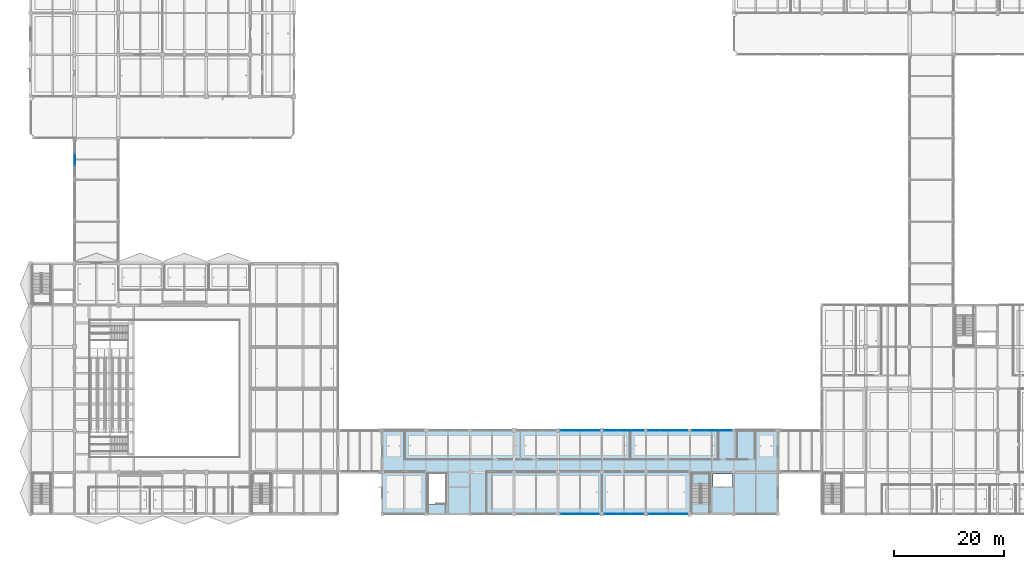
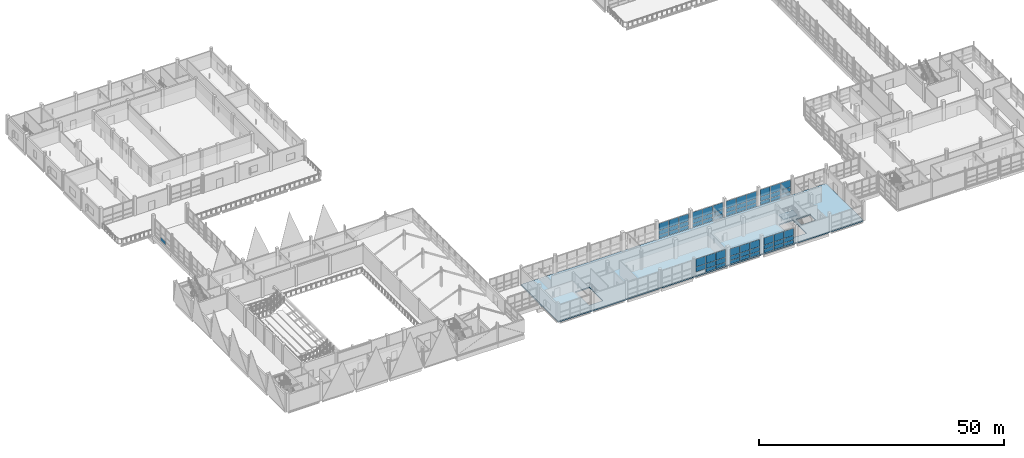
# One storey, part 75 of 141: 63 plates, 2 slabs, 9 elements without a shape of their own.
"""IFC4 building model written with IfcOpenShell, lengths in metres."""

from ifc_helpers import new_model, si_unit, direction, frame, origin, origin_2d, place, context, subcontext, project, spatial, polyline, rectangle, outline, extrude, material, layer, layer_set, type_object, element, aggregate, save


model = new_model("IFC4")

# Units and contexts
model_context = context("Model", 3, precision=1e-05, world=origin(), true_north=direction((0.0, 1.0)))
body_context = subcontext(model_context, "Body", "Model", "MODEL_VIEW")
ifc_project = project(units=[si_unit("LENGTHUNIT", "METRE"), si_unit("AREAUNIT", "SQUARE_METRE"), si_unit("VOLUMEUNIT", "CUBIC_METRE"), si_unit("PLANEANGLEUNIT", "RADIAN"), si_unit("MASSUNIT", "GRAM", prefix="KILO")], contexts=[model_context])

# Site, building, storey
site_placement = place(None, origin())
site = spatial("IfcSite", under=ifc_project, at=site_placement, CompositionType="ELEMENT")
building_placement = place(site_placement, origin())
building = spatial("IfcBuilding", under=site, at=building_placement, Name="Khelvaren Railside Concert Hall", CompositionType="ELEMENT")
storey_placement = place(building_placement, frame((0.0, 0.0, 10.199951171875)))
storey = spatial("IfcBuildingStorey", under=building, at=storey_placement, Name="L02", CompositionType="ELEMENT", Elevation=10.199951171875)

# Curtain wall, plates
ifc_material_1 = material(Name="Double-glazed clear foyer glass", Category="glass")
curtain_wall_type_1 = type_object("IfcCurtainWallType", Name="CW70", PredefinedType="USERDEFINED", material=ifc_material_1)
curtain_wall_1_placement = place(storey_placement, origin())
curtain_wall_1 = element("IfcCurtainWall", 1, at=curtain_wall_1_placement, inside=storey, type_object=curtain_wall_type_1, Name="Unitised Curtain Wall CW-V3-L02-S-96", ObjectType="UNITISED CURTAIN WALL", PredefinedType="USERDEFINED")
ifc_layer_1 = layer(ifc_material_1, 0.0439453125)
ifc_layer_set_1 = layer_set([ifc_layer_1], Name="Double-glazed clear foyer glass")
plate_type_1 = type_object("IfcPlateType", Name="CWP33", PredefinedType="CURTAIN_PANEL", material=ifc_layer_set_1)
plate_1_placement = place(storey_placement, frame((102.3203125, 0.0, 0.06494140625), z_axis=(0.0, 0.0, 1.0), x_axis=(-1.0, 0.0, 0.0)))
plate_1 = element("IfcPlate", 2, at=plate_1_placement, type_object=plate_type_1, Name="CW70 panel 1.1", PredefinedType="CURTAIN_PANEL", context=body_context, shape_type="SweptSolid", body=[
    extrude(rectangle(XDim=2.26416015625, YDim=0.0439453125, at=origin_2d()), origin(), (0.0, 0.0, 1.0), 0.8525390625),
])
plate_2_placement = place(storey_placement, frame((102.3203125, 0.0, 0.982421875), z_axis=(0.0, 0.0, 1.0), x_axis=(-1.0, 0.0, 0.0)))
plate_2 = element("IfcPlate", 3, at=plate_2_placement, type_object=plate_type_1, Name="CW70 panel 1.2", PredefinedType="CURTAIN_PANEL", context=body_context, shape_type="SweptSolid", body=[
    extrude(rectangle(XDim=2.26416015625, YDim=0.0439453125, at=origin_2d()), origin(), (0.0, 0.0, 1.0), 1.179443359375),
])
plate_3_placement = place(storey_placement, frame((102.3203125, 0.0, 2.22705078125), z_axis=(0.0, 0.0, 1.0), x_axis=(-1.0, 0.0, 0.0)))
plate_3 = element("IfcPlate", 4, at=plate_3_placement, type_object=plate_type_1, Name="CW70 panel 1.3", PredefinedType="CURTAIN_PANEL", context=body_context, shape_type="SweptSolid", body=[
    extrude(rectangle(XDim=2.26416015625, YDim=0.0439453125, at=origin_2d()), origin(), (0.0, 0.0, 1.0), 1.927978515625),
])
plate_4_placement = place(storey_placement, frame((99.96240234375, 0.0, 0.06494140625), z_axis=(0.0, 0.0, 1.0), x_axis=(-1.0, 0.0, 0.0)))
plate_4 = element("IfcPlate", 5, at=plate_4_placement, type_object=plate_type_1, Name="CW70 panel 2.1", PredefinedType="CURTAIN_PANEL", context=body_context, shape_type="SweptSolid", body=[
    extrude(rectangle(XDim=2.3017578125, YDim=0.0439453125, at=origin_2d()), origin(), (0.0, 0.0, 1.0), 0.8525390625),
])
plate_5_placement = place(storey_placement, frame((99.96240234375, 0.0, 0.982421875), z_axis=(0.0, 0.0, 1.0), x_axis=(-1.0, 0.0, 0.0)))
plate_5 = element("IfcPlate", 6, at=plate_5_placement, type_object=plate_type_1, Name="CW70 panel 2.2", PredefinedType="CURTAIN_PANEL", context=body_context, shape_type="SweptSolid", body=[
    extrude(rectangle(XDim=2.3017578125, YDim=0.0439453125, at=origin_2d()), origin(), (0.0, 0.0, 1.0), 1.179443359375),
])
plate_6_placement = place(storey_placement, frame((99.96240234375, 0.0, 2.22705078125), z_axis=(0.0, 0.0, 1.0), x_axis=(-1.0, 0.0, 0.0)))
plate_6 = element("IfcPlate", 7, at=plate_6_placement, type_object=plate_type_1, Name="CW70 panel 2.3", PredefinedType="CURTAIN_PANEL", context=body_context, shape_type="SweptSolid", body=[
    extrude(rectangle(XDim=2.3017578125, YDim=0.0439453125, at=origin_2d()), origin(), (0.0, 0.0, 1.0), 1.927978515625),
])
plate_7_placement = place(storey_placement, frame((97.6044921875, 0.0, 0.982421875), z_axis=(0.0, 0.0, 1.0), x_axis=(-1.0, 0.0, 0.0)))
plate_7 = element("IfcPlate", 8, at=plate_7_placement, type_object=plate_type_1, Name="CW70 panel 3.2", PredefinedType="CURTAIN_PANEL", context=body_context, shape_type="SweptSolid", body=[
    extrude(rectangle(XDim=2.26416015625, YDim=0.0439453125, at=origin_2d()), origin(), (0.0, 0.0, 1.0), 1.179443359375),
])
plate_8_placement = place(storey_placement, frame((97.6044921875, 0.0, 2.22705078125), z_axis=(0.0, 0.0, 1.0), x_axis=(-1.0, 0.0, 0.0)))
plate_8 = element("IfcPlate", 9, at=plate_8_placement, type_object=plate_type_1, Name="CW70 panel 3.3", PredefinedType="CURTAIN_PANEL", context=body_context, shape_type="SweptSolid", body=[
    extrude(rectangle(XDim=2.26416015625, YDim=0.0439453125, at=origin_2d()), origin(), (0.0, 0.0, 1.0), 1.927978515625),
])
aggregate(curtain_wall_1, [plate_1, plate_2, plate_3, plate_4, plate_5, plate_6, plate_7, plate_8])

curtain_wall_type_2 = type_object("IfcCurtainWallType", Name="CW83", PredefinedType="USERDEFINED", material=ifc_material_1)
curtain_wall_2_placement = place(storey_placement, origin())
curtain_wall_2 = element("IfcCurtainWall", 10, at=curtain_wall_2_placement, inside=storey, type_object=curtain_wall_type_2, Name="Unitised Curtain Wall CW-V3-L02-S-104", ObjectType="UNITISED CURTAIN WALL", PredefinedType="USERDEFINED")
plate_9_placement = place(storey_placement, frame((110.37451171875, 0.0, 0.06494140625), z_axis=(0.0, 0.0, 1.0), x_axis=(-1.0, 0.0, 0.0)))
plate_9 = element("IfcPlate", 11, at=plate_9_placement, type_object=plate_type_1, Name="CW83 panel 1.1", PredefinedType="CURTAIN_PANEL", context=body_context, shape_type="SweptSolid", body=[
    extrude(rectangle(XDim=2.255859375, YDim=0.0439453125, at=origin_2d()), origin(), (0.0, 0.0, 1.0), 0.8525390625),
])
plate_10_placement = place(storey_placement, frame((110.37451171875, 0.0, 0.982421875), z_axis=(0.0, 0.0, 1.0), x_axis=(-1.0, 0.0, 0.0)))
plate_10 = element("IfcPlate", 12, at=plate_10_placement, type_object=plate_type_1, Name="CW83 panel 1.2", PredefinedType="CURTAIN_PANEL", context=body_context, shape_type="SweptSolid", body=[
    extrude(rectangle(XDim=2.255859375, YDim=0.0439453125, at=origin_2d()), origin(), (0.0, 0.0, 1.0), 1.018310546875),
])
plate_11_placement = place(storey_placement, frame((110.37451171875, 0.0, 2.065673828125), z_axis=(0.0, 0.0, 1.0), x_axis=(-1.0, 0.0, 0.0)))
plate_11 = element("IfcPlate", 13, at=plate_11_placement, type_object=plate_type_1, Name="CW83 panel 1.3", PredefinedType="CURTAIN_PANEL", context=body_context, shape_type="SweptSolid", body=[
    extrude(rectangle(XDim=2.255859375, YDim=0.0439453125, at=origin_2d()), origin(), (0.0, 0.0, 1.0), 1.779296875),
])
plate_12_placement = place(storey_placement, frame((108.02490234375, 0.0, 0.06494140625), z_axis=(0.0, 0.0, 1.0), x_axis=(-1.0, 0.0, 0.0)))
plate_12 = element("IfcPlate", 14, at=plate_12_placement, type_object=plate_type_1, Name="CW83 panel 2.1", PredefinedType="CURTAIN_PANEL", context=body_context, shape_type="SweptSolid", body=[
    extrude(rectangle(XDim=2.293212890625, YDim=0.0439453125, at=origin_2d()), origin(), (0.0, 0.0, 1.0), 0.8525390625),
])
plate_13_placement = place(storey_placement, frame((108.02490234375, 0.0, 0.982421875), z_axis=(0.0, 0.0, 1.0), x_axis=(-1.0, 0.0, 0.0)))
plate_13 = element("IfcPlate", 15, at=plate_13_placement, type_object=plate_type_1, Name="CW83 panel 2.2", PredefinedType="CURTAIN_PANEL", context=body_context, shape_type="SweptSolid", body=[
    extrude(rectangle(XDim=2.293212890625, YDim=0.0439453125, at=origin_2d()), origin(), (0.0, 0.0, 1.0), 1.018310546875),
])
plate_14_placement = place(storey_placement, frame((108.02490234375, 0.0, 2.065673828125), z_axis=(0.0, 0.0, 1.0), x_axis=(-1.0, 0.0, 0.0)))
plate_14 = element("IfcPlate", 16, at=plate_14_placement, type_object=plate_type_1, Name="CW83 panel 2.3", PredefinedType="CURTAIN_PANEL", context=body_context, shape_type="SweptSolid", body=[
    extrude(rectangle(XDim=2.293212890625, YDim=0.0439453125, at=origin_2d()), origin(), (0.0, 0.0, 1.0), 1.779296875),
])
plate_15_placement = place(storey_placement, frame((105.675537109375, 0.0, 0.06494140625), z_axis=(0.0, 0.0, 1.0), x_axis=(-1.0, 0.0, 0.0)))
plate_15 = element("IfcPlate", 17, at=plate_15_placement, type_object=plate_type_1, Name="CW83 panel 3.1", PredefinedType="CURTAIN_PANEL", context=body_context, shape_type="SweptSolid", body=[
    extrude(rectangle(XDim=2.255859375, YDim=0.0439453125, at=origin_2d()), origin(), (0.0, 0.0, 1.0), 0.8525390625),
])
plate_16_placement = place(storey_placement, frame((105.675537109375, 0.0, 0.982421875), z_axis=(0.0, 0.0, 1.0), x_axis=(-1.0, 0.0, 0.0)))
plate_16 = element("IfcPlate", 18, at=plate_16_placement, type_object=plate_type_1, Name="CW83 panel 3.2", PredefinedType="CURTAIN_PANEL", context=body_context, shape_type="SweptSolid", body=[
    extrude(rectangle(XDim=2.255859375, YDim=0.0439453125, at=origin_2d()), origin(), (0.0, 0.0, 1.0), 1.018310546875),
])
plate_17_placement = place(storey_placement, frame((105.675537109375, 0.0, 2.065673828125), z_axis=(0.0, 0.0, 1.0), x_axis=(-1.0, 0.0, 0.0)))
plate_17 = element("IfcPlate", 19, at=plate_17_placement, type_object=plate_type_1, Name="CW83 panel 3.3", PredefinedType="CURTAIN_PANEL", context=body_context, shape_type="SweptSolid", body=[
    extrude(rectangle(XDim=2.255859375, YDim=0.0439453125, at=origin_2d()), origin(), (0.0, 0.0, 1.0), 1.779296875),
])
aggregate(curtain_wall_2, [plate_9, plate_10, plate_11, plate_12, plate_13, plate_14, plate_15, plate_16, plate_17])

curtain_wall_type_3 = type_object("IfcCurtainWallType", Name="CW64", PredefinedType="USERDEFINED", material=ifc_material_1)
curtain_wall_3_placement = place(storey_placement, origin())
curtain_wall_3 = element("IfcCurtainWall", 20, at=curtain_wall_3_placement, inside=storey, type_object=curtain_wall_type_3, Name="Unitised Curtain Wall CW-V3-L02-S-112", ObjectType="UNITISED CURTAIN WALL", PredefinedType="USERDEFINED")
plate_18_placement = place(storey_placement, frame((118.407958984375, 0.0, 0.06494140625), z_axis=(0.0, 0.0, 1.0), x_axis=(-1.0, 0.0, 0.0)))
plate_18 = element("IfcPlate", 21, at=plate_18_placement, type_object=plate_type_1, Name="CW64 panel 1.1", PredefinedType="CURTAIN_PANEL", context=body_context, shape_type="SweptSolid", body=[
    extrude(rectangle(XDim=2.2890625, YDim=0.0439453125, at=origin_2d()), origin(), (0.0, 0.0, 1.0), 0.8525390625),
])
plate_19_placement = place(storey_placement, frame((118.407958984375, 0.0, 0.982666015625), z_axis=(0.0, 0.0, 1.0), x_axis=(-1.0, 0.0, 0.0)))
plate_19 = element("IfcPlate", 22, at=plate_19_placement, type_object=plate_type_1, Name="CW64 panel 1.2", PredefinedType="CURTAIN_PANEL", context=body_context, shape_type="SweptSolid", body=[
    extrude(rectangle(XDim=2.2890625, YDim=0.0439453125, at=origin_2d()), origin(), (0.0, 0.0, 1.0), 0.9921875),
])
plate_20_placement = place(storey_placement, frame((118.407958984375, 0.0, 2.039794921875), z_axis=(0.0, 0.0, 1.0), x_axis=(-1.0, 0.0, 0.0)))
plate_20 = element("IfcPlate", 23, at=plate_20_placement, type_object=plate_type_1, Name="CW64 panel 1.3", PredefinedType="CURTAIN_PANEL", context=body_context, shape_type="SweptSolid", body=[
    extrude(rectangle(XDim=2.2890625, YDim=0.0439453125, at=origin_2d()), origin(), (0.0, 0.0, 1.0), 1.75537109375),
])
plate_21_placement = place(storey_placement, frame((116.02490234375, 0.0, 0.06494140625), z_axis=(0.0, 0.0, 1.0), x_axis=(-1.0, 0.0, 0.0)))
plate_21 = element("IfcPlate", 24, at=plate_21_placement, type_object=plate_type_1, Name="CW64 panel 2.1", PredefinedType="CURTAIN_PANEL", context=body_context, shape_type="SweptSolid", body=[
    extrude(rectangle(XDim=2.32666015625, YDim=0.0439453125, at=origin_2d()), origin(), (0.0, 0.0, 1.0), 0.8525390625),
])
plate_22_placement = place(storey_placement, frame((116.02490234375, 0.0, 0.982666015625), z_axis=(0.0, 0.0, 1.0), x_axis=(-1.0, 0.0, 0.0)))
plate_22 = element("IfcPlate", 25, at=plate_22_placement, type_object=plate_type_1, Name="CW64 panel 2.2", PredefinedType="CURTAIN_PANEL", context=body_context, shape_type="SweptSolid", body=[
    extrude(rectangle(XDim=2.32666015625, YDim=0.0439453125, at=origin_2d()), origin(), (0.0, 0.0, 1.0), 0.9921875),
])
plate_23_placement = place(storey_placement, frame((116.02490234375, 0.0, 2.039794921875), z_axis=(0.0, 0.0, 1.0), x_axis=(-1.0, 0.0, 0.0)))
plate_23 = element("IfcPlate", 26, at=plate_23_placement, type_object=plate_type_1, Name="CW64 panel 2.3", PredefinedType="CURTAIN_PANEL", context=body_context, shape_type="SweptSolid", body=[
    extrude(rectangle(XDim=2.32666015625, YDim=0.0439453125, at=origin_2d()), origin(), (0.0, 0.0, 1.0), 1.75537109375),
])
plate_24_placement = place(storey_placement, frame((113.64208984375, 0.0, 0.06494140625), z_axis=(0.0, 0.0, 1.0), x_axis=(-1.0, 0.0, 0.0)))
plate_24 = element("IfcPlate", 27, at=plate_24_placement, type_object=plate_type_1, Name="CW64 panel 3.1", PredefinedType="CURTAIN_PANEL", context=body_context, shape_type="SweptSolid", body=[
    extrude(rectangle(XDim=2.2890625, YDim=0.0439453125, at=origin_2d()), origin(), (0.0, 0.0, 1.0), 0.8525390625),
])
plate_25_placement = place(storey_placement, frame((113.64208984375, 0.0, 0.982666015625), z_axis=(0.0, 0.0, 1.0), x_axis=(-1.0, 0.0, 0.0)))
plate_25 = element("IfcPlate", 28, at=plate_25_placement, type_object=plate_type_1, Name="CW64 panel 3.2", PredefinedType="CURTAIN_PANEL", context=body_context, shape_type="SweptSolid", body=[
    extrude(rectangle(XDim=2.2890625, YDim=0.0439453125, at=origin_2d()), origin(), (0.0, 0.0, 1.0), 0.9921875),
])
plate_26_placement = place(storey_placement, frame((113.64208984375, 0.0, 2.039794921875), z_axis=(0.0, 0.0, 1.0), x_axis=(-1.0, 0.0, 0.0)))
plate_26 = element("IfcPlate", 29, at=plate_26_placement, type_object=plate_type_1, Name="CW64 panel 3.3", PredefinedType="CURTAIN_PANEL", context=body_context, shape_type="SweptSolid", body=[
    extrude(rectangle(XDim=2.2890625, YDim=0.0439453125, at=origin_2d()), origin(), (0.0, 0.0, 1.0), 1.75537109375),
])
aggregate(curtain_wall_3, [plate_18, plate_19, plate_20, plate_21, plate_22, plate_23, plate_24, plate_25, plate_26])

curtain_wall_4_placement = place(storey_placement, origin())
curtain_wall_4 = element("IfcCurtainWall", 30, at=curtain_wall_4_placement, inside=storey, type_object=curtain_wall_type_1, Name="Unitised Curtain Wall CW-V3-L02-N-96", ObjectType="UNITISED CURTAIN WALL", PredefinedType="USERDEFINED")
plate_27_placement = place(storey_placement, frame((97.64208984375, 15.199951171875, 0.06494140625), z_axis=(0.0, 0.0, 1.0), x_axis=(1.0, 0.0, 0.0)))
plate_27 = element("IfcPlate", 31, at=plate_27_placement, type_object=plate_type_1, Name="CW70 panel 1.1", PredefinedType="CURTAIN_PANEL", context=body_context, shape_type="SweptSolid", body=[
    extrude(rectangle(XDim=2.2890625, YDim=0.0439453125, at=origin_2d()), origin(), (0.0, 0.0, 1.0), 0.8525390625),
])
plate_28_placement = place(storey_placement, frame((97.64208984375, 15.199951171875, 0.982666015625), z_axis=(0.0, 0.0, 1.0), x_axis=(1.0, 0.0, 0.0)))
plate_28 = element("IfcPlate", 32, at=plate_28_placement, type_object=plate_type_1, Name="CW70 panel 1.2", PredefinedType="CURTAIN_PANEL", context=body_context, shape_type="SweptSolid", body=[
    extrude(rectangle(XDim=2.2890625, YDim=0.0439453125, at=origin_2d()), origin(), (0.0, 0.0, 1.0), 0.9921875),
])
plate_29_placement = place(storey_placement, frame((97.64208984375, 15.199951171875, 2.039794921875), z_axis=(0.0, 0.0, 1.0), x_axis=(1.0, 0.0, 0.0)))
plate_29 = element("IfcPlate", 33, at=plate_29_placement, type_object=plate_type_1, Name="CW70 panel 1.3", PredefinedType="CURTAIN_PANEL", context=body_context, shape_type="SweptSolid", body=[
    extrude(rectangle(XDim=2.2890625, YDim=0.0439453125, at=origin_2d()), origin(), (0.0, 0.0, 1.0), 1.75537109375),
])
plate_30_placement = place(storey_placement, frame((100.02490234375, 15.199951171875, 0.06494140625), z_axis=(0.0, 0.0, 1.0), x_axis=(1.0, 0.0, 0.0)))
plate_30 = element("IfcPlate", 34, at=plate_30_placement, type_object=plate_type_1, Name="CW70 panel 2.1", PredefinedType="CURTAIN_PANEL", context=body_context, shape_type="SweptSolid", body=[
    extrude(rectangle(XDim=2.32666015625, YDim=0.0439453125, at=origin_2d()), origin(), (0.0, 0.0, 1.0), 0.8525390625),
])
plate_31_placement = place(storey_placement, frame((100.02490234375, 15.199951171875, 0.982666015625), z_axis=(0.0, 0.0, 1.0), x_axis=(1.0, 0.0, 0.0)))
plate_31 = element("IfcPlate", 35, at=plate_31_placement, type_object=plate_type_1, Name="CW70 panel 2.2", PredefinedType="CURTAIN_PANEL", context=body_context, shape_type="SweptSolid", body=[
    extrude(rectangle(XDim=2.32666015625, YDim=0.0439453125, at=origin_2d()), origin(), (0.0, 0.0, 1.0), 0.9921875),
])
plate_32_placement = place(storey_placement, frame((100.02490234375, 15.199951171875, 2.039794921875), z_axis=(0.0, 0.0, 1.0), x_axis=(1.0, 0.0, 0.0)))
plate_32 = element("IfcPlate", 36, at=plate_32_placement, type_object=plate_type_1, Name="CW70 panel 2.3", PredefinedType="CURTAIN_PANEL", context=body_context, shape_type="SweptSolid", body=[
    extrude(rectangle(XDim=2.32666015625, YDim=0.0439453125, at=origin_2d()), origin(), (0.0, 0.0, 1.0), 1.75537109375),
])
plate_33_placement = place(storey_placement, frame((102.407958984375, 15.199951171875, 0.06494140625), z_axis=(0.0, 0.0, 1.0), x_axis=(1.0, 0.0, 0.0)))
plate_33 = element("IfcPlate", 37, at=plate_33_placement, type_object=plate_type_1, Name="CW70 panel 3.1", PredefinedType="CURTAIN_PANEL", context=body_context, shape_type="SweptSolid", body=[
    extrude(rectangle(XDim=2.2890625, YDim=0.0439453125, at=origin_2d()), origin(), (0.0, 0.0, 1.0), 0.8525390625),
])
plate_34_placement = place(storey_placement, frame((102.407958984375, 15.199951171875, 0.982666015625), z_axis=(0.0, 0.0, 1.0), x_axis=(1.0, 0.0, 0.0)))
plate_34 = element("IfcPlate", 38, at=plate_34_placement, type_object=plate_type_1, Name="CW70 panel 3.2", PredefinedType="CURTAIN_PANEL", context=body_context, shape_type="SweptSolid", body=[
    extrude(rectangle(XDim=2.2890625, YDim=0.0439453125, at=origin_2d()), origin(), (0.0, 0.0, 1.0), 0.9921875),
])
plate_35_placement = place(storey_placement, frame((102.407958984375, 15.199951171875, 2.039794921875), z_axis=(0.0, 0.0, 1.0), x_axis=(1.0, 0.0, 0.0)))
plate_35 = element("IfcPlate", 39, at=plate_35_placement, type_object=plate_type_1, Name="CW70 panel 3.3", PredefinedType="CURTAIN_PANEL", context=body_context, shape_type="SweptSolid", body=[
    extrude(rectangle(XDim=2.2890625, YDim=0.0439453125, at=origin_2d()), origin(), (0.0, 0.0, 1.0), 1.75537109375),
])
aggregate(curtain_wall_4, [plate_27, plate_28, plate_29, plate_30, plate_31, plate_32, plate_33, plate_34, plate_35])

curtain_wall_5_placement = place(storey_placement, origin())
curtain_wall_5 = element("IfcCurtainWall", 40, at=curtain_wall_5_placement, inside=storey, type_object=curtain_wall_type_2, Name="Unitised Curtain Wall CW-V3-L02-N-104", ObjectType="UNITISED CURTAIN WALL", PredefinedType="USERDEFINED")
plate_36_placement = place(storey_placement, frame((105.608642578125, 15.199951171875, 0.06494140625), z_axis=(0.0, 0.0, 1.0), x_axis=(1.0, 0.0, 0.0)))
plate_36 = element("IfcPlate", 41, at=plate_36_placement, type_object=plate_type_1, Name="CW83 panel 1.1", PredefinedType="CURTAIN_PANEL", context=body_context, shape_type="SweptSolid", body=[
    extrude(rectangle(XDim=2.322509765625, YDim=0.0439453125, at=origin_2d()), origin(), (0.0, 0.0, 1.0), 0.8525390625),
])
plate_37_placement = place(storey_placement, frame((105.608642578125, 15.199951171875, 0.982666015625), z_axis=(0.0, 0.0, 1.0), x_axis=(1.0, 0.0, 0.0)))
plate_37 = element("IfcPlate", 42, at=plate_37_placement, type_object=plate_type_1, Name="CW83 panel 1.2", PredefinedType="CURTAIN_PANEL", context=body_context, shape_type="SweptSolid", body=[
    extrude(rectangle(XDim=2.322509765625, YDim=0.0439453125, at=origin_2d()), origin(), (0.0, 0.0, 1.0), 0.9921875),
])
plate_38_placement = place(storey_placement, frame((105.608642578125, 15.199951171875, 2.039794921875), z_axis=(0.0, 0.0, 1.0), x_axis=(1.0, 0.0, 0.0)))
plate_38 = element("IfcPlate", 43, at=plate_38_placement, type_object=plate_type_1, Name="CW83 panel 1.3", PredefinedType="CURTAIN_PANEL", context=body_context, shape_type="SweptSolid", body=[
    extrude(rectangle(XDim=2.322509765625, YDim=0.0439453125, at=origin_2d()), origin(), (0.0, 0.0, 1.0), 1.75537109375),
])
plate_39_placement = place(storey_placement, frame((108.02490234375, 15.199951171875, 0.06494140625), z_axis=(0.0, 0.0, 1.0), x_axis=(1.0, 0.0, 0.0)))
plate_39 = element("IfcPlate", 44, at=plate_39_placement, type_object=plate_type_1, Name="CW83 panel 2.1", PredefinedType="CURTAIN_PANEL", context=body_context, shape_type="SweptSolid", body=[
    extrude(rectangle(XDim=2.360107421875, YDim=0.0439453125, at=origin_2d()), origin(), (0.0, 0.0, 1.0), 0.8525390625),
])
plate_40_placement = place(storey_placement, frame((108.02490234375, 15.199951171875, 0.982666015625), z_axis=(0.0, 0.0, 1.0), x_axis=(1.0, 0.0, 0.0)))
plate_40 = element("IfcPlate", 45, at=plate_40_placement, type_object=plate_type_1, Name="CW83 panel 2.2", PredefinedType="CURTAIN_PANEL", context=body_context, shape_type="SweptSolid", body=[
    extrude(rectangle(XDim=2.360107421875, YDim=0.0439453125, at=origin_2d()), origin(), (0.0, 0.0, 1.0), 0.9921875),
])
plate_41_placement = place(storey_placement, frame((108.02490234375, 15.199951171875, 2.039794921875), z_axis=(0.0, 0.0, 1.0), x_axis=(1.0, 0.0, 0.0)))
plate_41 = element("IfcPlate", 46, at=plate_41_placement, type_object=plate_type_1, Name="CW83 panel 2.3", PredefinedType="CURTAIN_PANEL", context=body_context, shape_type="SweptSolid", body=[
    extrude(rectangle(XDim=2.360107421875, YDim=0.0439453125, at=origin_2d()), origin(), (0.0, 0.0, 1.0), 1.75537109375),
])
plate_42_placement = place(storey_placement, frame((110.441162109375, 15.199951171875, 0.06494140625), z_axis=(0.0, 0.0, 1.0), x_axis=(1.0, 0.0, 0.0)))
plate_42 = element("IfcPlate", 47, at=plate_42_placement, type_object=plate_type_1, Name="CW83 panel 3.1", PredefinedType="CURTAIN_PANEL", context=body_context, shape_type="SweptSolid", body=[
    extrude(rectangle(XDim=2.322509765625, YDim=0.0439453125, at=origin_2d()), origin(), (0.0, 0.0, 1.0), 0.8525390625),
])
plate_43_placement = place(storey_placement, frame((110.441162109375, 15.199951171875, 0.982666015625), z_axis=(0.0, 0.0, 1.0), x_axis=(1.0, 0.0, 0.0)))
plate_43 = element("IfcPlate", 48, at=plate_43_placement, type_object=plate_type_1, Name="CW83 panel 3.2", PredefinedType="CURTAIN_PANEL", context=body_context, shape_type="SweptSolid", body=[
    extrude(rectangle(XDim=2.322509765625, YDim=0.0439453125, at=origin_2d()), origin(), (0.0, 0.0, 1.0), 0.9921875),
])
plate_44_placement = place(storey_placement, frame((110.441162109375, 15.199951171875, 2.039794921875), z_axis=(0.0, 0.0, 1.0), x_axis=(1.0, 0.0, 0.0)))
plate_44 = element("IfcPlate", 49, at=plate_44_placement, type_object=plate_type_1, Name="CW83 panel 3.3", PredefinedType="CURTAIN_PANEL", context=body_context, shape_type="SweptSolid", body=[
    extrude(rectangle(XDim=2.322509765625, YDim=0.0439453125, at=origin_2d()), origin(), (0.0, 0.0, 1.0), 1.75537109375),
])
aggregate(curtain_wall_5, [plate_36, plate_37, plate_38, plate_39, plate_40, plate_41, plate_42, plate_43, plate_44])

curtain_wall_6_placement = place(storey_placement, origin())
curtain_wall_6 = element("IfcCurtainWall", 50, at=curtain_wall_6_placement, inside=storey, type_object=curtain_wall_type_3, Name="Unitised Curtain Wall CW-V3-L02-N-112", ObjectType="UNITISED CURTAIN WALL", PredefinedType="USERDEFINED")
plate_45_placement = place(storey_placement, frame((113.558837890625, 15.199951171875, 0.06494140625), z_axis=(0.0, 0.0, 1.0), x_axis=(1.0, 0.0, 0.0)))
plate_45 = element("IfcPlate", 51, at=plate_45_placement, type_object=plate_type_1, Name="CW64 panel 1.1", PredefinedType="CURTAIN_PANEL", context=body_context, shape_type="SweptSolid", body=[
    extrude(rectangle(XDim=2.322509765625, YDim=0.0439453125, at=origin_2d()), origin(), (0.0, 0.0, 1.0), 0.8525390625),
])
plate_46_placement = place(storey_placement, frame((113.558837890625, 15.199951171875, 0.982666015625), z_axis=(0.0, 0.0, 1.0), x_axis=(1.0, 0.0, 0.0)))
plate_46 = element("IfcPlate", 52, at=plate_46_placement, type_object=plate_type_1, Name="CW64 panel 1.2", PredefinedType="CURTAIN_PANEL", context=body_context, shape_type="SweptSolid", body=[
    extrude(rectangle(XDim=2.322509765625, YDim=0.0439453125, at=origin_2d()), origin(), (0.0, 0.0, 1.0), 0.9921875),
])
plate_47_placement = place(storey_placement, frame((113.558837890625, 15.199951171875, 2.039794921875), z_axis=(0.0, 0.0, 1.0), x_axis=(1.0, 0.0, 0.0)))
plate_47 = element("IfcPlate", 53, at=plate_47_placement, type_object=plate_type_1, Name="CW64 panel 1.3", PredefinedType="CURTAIN_PANEL", context=body_context, shape_type="SweptSolid", body=[
    extrude(rectangle(XDim=2.322509765625, YDim=0.0439453125, at=origin_2d()), origin(), (0.0, 0.0, 1.0), 1.75537109375),
])
plate_48_placement = place(storey_placement, frame((115.97509765625, 15.199951171875, 0.06494140625), z_axis=(0.0, 0.0, 1.0), x_axis=(1.0, 0.0, 0.0)))
plate_48 = element("IfcPlate", 54, at=plate_48_placement, type_object=plate_type_1, Name="CW64 panel 2.1", PredefinedType="CURTAIN_PANEL", context=body_context, shape_type="SweptSolid", body=[
    extrude(rectangle(XDim=2.360107421875, YDim=0.0439453125, at=origin_2d()), origin(), (0.0, 0.0, 1.0), 0.8525390625),
])
plate_49_placement = place(storey_placement, frame((115.97509765625, 15.199951171875, 0.982666015625), z_axis=(0.0, 0.0, 1.0), x_axis=(1.0, 0.0, 0.0)))
plate_49 = element("IfcPlate", 55, at=plate_49_placement, type_object=plate_type_1, Name="CW64 panel 2.2", PredefinedType="CURTAIN_PANEL", context=body_context, shape_type="SweptSolid", body=[
    extrude(rectangle(XDim=2.360107421875, YDim=0.0439453125, at=origin_2d()), origin(), (0.0, 0.0, 1.0), 0.9921875),
])
plate_50_placement = place(storey_placement, frame((115.97509765625, 15.199951171875, 2.039794921875), z_axis=(0.0, 0.0, 1.0), x_axis=(1.0, 0.0, 0.0)))
plate_50 = element("IfcPlate", 56, at=plate_50_placement, type_object=plate_type_1, Name="CW64 panel 2.3", PredefinedType="CURTAIN_PANEL", context=body_context, shape_type="SweptSolid", body=[
    extrude(rectangle(XDim=2.360107421875, YDim=0.0439453125, at=origin_2d()), origin(), (0.0, 0.0, 1.0), 1.75537109375),
])
plate_51_placement = place(storey_placement, frame((118.391357421875, 15.199951171875, 0.06494140625), z_axis=(0.0, 0.0, 1.0), x_axis=(1.0, 0.0, 0.0)))
plate_51 = element("IfcPlate", 57, at=plate_51_placement, type_object=plate_type_1, Name="CW64 panel 3.1", PredefinedType="CURTAIN_PANEL", context=body_context, shape_type="SweptSolid", body=[
    extrude(rectangle(XDim=2.322509765625, YDim=0.0439453125, at=origin_2d()), origin(), (0.0, 0.0, 1.0), 0.8525390625),
])
plate_52_placement = place(storey_placement, frame((118.391357421875, 15.199951171875, 0.982666015625), z_axis=(0.0, 0.0, 1.0), x_axis=(1.0, 0.0, 0.0)))
plate_52 = element("IfcPlate", 58, at=plate_52_placement, type_object=plate_type_1, Name="CW64 panel 3.2", PredefinedType="CURTAIN_PANEL", context=body_context, shape_type="SweptSolid", body=[
    extrude(rectangle(XDim=2.322509765625, YDim=0.0439453125, at=origin_2d()), origin(), (0.0, 0.0, 1.0), 0.9921875),
])
plate_53_placement = place(storey_placement, frame((118.391357421875, 15.199951171875, 2.039794921875), z_axis=(0.0, 0.0, 1.0), x_axis=(1.0, 0.0, 0.0)))
plate_53 = element("IfcPlate", 59, at=plate_53_placement, type_object=plate_type_1, Name="CW64 panel 3.3", PredefinedType="CURTAIN_PANEL", context=body_context, shape_type="SweptSolid", body=[
    extrude(rectangle(XDim=2.322509765625, YDim=0.0439453125, at=origin_2d()), origin(), (0.0, 0.0, 1.0), 1.75537109375),
])
aggregate(curtain_wall_6, [plate_45, plate_46, plate_47, plate_48, plate_49, plate_50, plate_51, plate_52, plate_53])

curtain_wall_type_4 = type_object("IfcCurtainWallType", Name="CW68", PredefinedType="USERDEFINED", material=ifc_material_1)
curtain_wall_7_placement = place(storey_placement, origin())
curtain_wall_7 = element("IfcCurtainWall", 60, at=curtain_wall_7_placement, inside=storey, type_object=curtain_wall_type_4, Name="Unitised Curtain Wall CW-V3-L02-N-120", ObjectType="UNITISED CURTAIN WALL", PredefinedType="USERDEFINED")
plate_54_placement = place(storey_placement, frame((121.608642578125, 15.199951171875, 0.06494140625), z_axis=(0.0, 0.0, 1.0), x_axis=(1.0, 0.0, 0.0)))
plate_54 = element("IfcPlate", 61, at=plate_54_placement, type_object=plate_type_1, Name="CW68 panel 1.1", PredefinedType="CURTAIN_PANEL", context=body_context, shape_type="SweptSolid", body=[
    extrude(rectangle(XDim=2.322509765625, YDim=0.0439453125, at=origin_2d()), origin(), (0.0, 0.0, 1.0), 0.8525390625),
])
plate_55_placement = place(storey_placement, frame((121.608642578125, 15.199951171875, 0.982421875), z_axis=(0.0, 0.0, 1.0), x_axis=(1.0, 0.0, 0.0)))
plate_55 = element("IfcPlate", 62, at=plate_55_placement, type_object=plate_type_1, Name="CW68 panel 1.2", PredefinedType="CURTAIN_PANEL", context=body_context, shape_type="SweptSolid", body=[
    extrude(rectangle(XDim=2.322509765625, YDim=0.0439453125, at=origin_2d()), origin(), (0.0, 0.0, 1.0), 1.018310546875),
])
plate_56_placement = place(storey_placement, frame((121.608642578125, 15.199951171875, 2.065673828125), z_axis=(0.0, 0.0, 1.0), x_axis=(1.0, 0.0, 0.0)))
plate_56 = element("IfcPlate", 63, at=plate_56_placement, type_object=plate_type_1, Name="CW68 panel 1.3", PredefinedType="CURTAIN_PANEL", context=body_context, shape_type="SweptSolid", body=[
    extrude(rectangle(XDim=2.322509765625, YDim=0.0439453125, at=origin_2d()), origin(), (0.0, 0.0, 1.0), 1.779296875),
])
plate_57_placement = place(storey_placement, frame((124.02490234375, 15.199951171875, 0.06494140625), z_axis=(0.0, 0.0, 1.0), x_axis=(1.0, 0.0, 0.0)))
plate_57 = element("IfcPlate", 64, at=plate_57_placement, type_object=plate_type_1, Name="CW68 panel 2.1", PredefinedType="CURTAIN_PANEL", context=body_context, shape_type="SweptSolid", body=[
    extrude(rectangle(XDim=2.360107421875, YDim=0.0439453125, at=origin_2d()), origin(), (0.0, 0.0, 1.0), 0.8525390625),
])
plate_58_placement = place(storey_placement, frame((124.02490234375, 15.199951171875, 0.982421875), z_axis=(0.0, 0.0, 1.0), x_axis=(1.0, 0.0, 0.0)))
plate_58 = element("IfcPlate", 65, at=plate_58_placement, type_object=plate_type_1, Name="CW68 panel 2.2", PredefinedType="CURTAIN_PANEL", context=body_context, shape_type="SweptSolid", body=[
    extrude(rectangle(XDim=2.360107421875, YDim=0.0439453125, at=origin_2d()), origin(), (0.0, 0.0, 1.0), 1.018310546875),
])
plate_59_placement = place(storey_placement, frame((124.02490234375, 15.199951171875, 2.065673828125), z_axis=(0.0, 0.0, 1.0), x_axis=(1.0, 0.0, 0.0)))
plate_59 = element("IfcPlate", 66, at=plate_59_placement, type_object=plate_type_1, Name="CW68 panel 2.3", PredefinedType="CURTAIN_PANEL", context=body_context, shape_type="SweptSolid", body=[
    extrude(rectangle(XDim=2.360107421875, YDim=0.0439453125, at=origin_2d()), origin(), (0.0, 0.0, 1.0), 1.779296875),
])
plate_60_placement = place(storey_placement, frame((126.441162109375, 15.199951171875, 0.06494140625), z_axis=(0.0, 0.0, 1.0), x_axis=(1.0, 0.0, 0.0)))
plate_60 = element("IfcPlate", 67, at=plate_60_placement, type_object=plate_type_1, Name="CW68 panel 3.1", PredefinedType="CURTAIN_PANEL", context=body_context, shape_type="SweptSolid", body=[
    extrude(rectangle(XDim=2.322509765625, YDim=0.0439453125, at=origin_2d()), origin(), (0.0, 0.0, 1.0), 0.8525390625),
])
plate_61_placement = place(storey_placement, frame((126.441162109375, 15.199951171875, 0.982421875), z_axis=(0.0, 0.0, 1.0), x_axis=(1.0, 0.0, 0.0)))
plate_61 = element("IfcPlate", 68, at=plate_61_placement, type_object=plate_type_1, Name="CW68 panel 3.2", PredefinedType="CURTAIN_PANEL", context=body_context, shape_type="SweptSolid", body=[
    extrude(rectangle(XDim=2.322509765625, YDim=0.0439453125, at=origin_2d()), origin(), (0.0, 0.0, 1.0), 1.018310546875),
])
plate_62_placement = place(storey_placement, frame((126.441162109375, 15.199951171875, 2.065673828125), z_axis=(0.0, 0.0, 1.0), x_axis=(1.0, 0.0, 0.0)))
plate_62 = element("IfcPlate", 69, at=plate_62_placement, type_object=plate_type_1, Name="CW68 panel 3.3", PredefinedType="CURTAIN_PANEL", context=body_context, shape_type="SweptSolid", body=[
    extrude(rectangle(XDim=2.322509765625, YDim=0.0439453125, at=origin_2d()), origin(), (0.0, 0.0, 1.0), 1.779296875),
])
aggregate(curtain_wall_7, [plate_54, plate_55, plate_56, plate_57, plate_58, plate_59, plate_60, plate_61, plate_62])

# Curtain wall, plate
ifc_material_2 = material(Name="Acoustic laminated crystal facade glass", Category="glass")
curtain_wall_type_5 = type_object("IfcCurtainWallType", Name="CW78", PredefinedType="USERDEFINED", material=ifc_material_2)
curtain_wall_8_placement = place(storey_placement, origin())
curtain_wall_8 = element("IfcCurtainWall", 70, at=curtain_wall_8_placement, inside=storey, type_object=curtain_wall_type_5, Name="Unitised Curtain Wall CW-LB3-L02-W3", ObjectType="UNITISED CURTAIN WALL", PredefinedType="USERDEFINED")
ifc_layer_2 = layer(ifc_material_2, 0.0400390625)
ifc_layer_set_2 = layer_set([ifc_layer_2], Name="Acoustic laminated crystal facade glass")
plate_type_2 = type_object("IfcPlateType", Name="CWP77", PredefinedType="CURTAIN_PANEL", material=ifc_layer_set_2)
plate_63_placement = place(storey_placement, frame((8.10009765625, 64.52490234375, 0.0849609375), z_axis=(0.0, 0.0, 1.0), x_axis=(0.0, 1.0, 0.0)))
plate_63 = element("IfcPlate", 71, at=plate_63_placement, type_object=plate_type_2, Name="CW78 panel 2.1", PredefinedType="CURTAIN_PANEL", context=body_context, shape_type="SweptSolid", body=[
    extrude(rectangle(XDim=2.078369140625, YDim=0.0400390625, at=origin_2d()), origin(), (0.0, 0.0, 1.0), 0.822509765625),
])
aggregate(curtain_wall_8, [plate_63])

# Slab
ifc_material_3 = material(Name="Concrete C40/50", Category="concrete")
ifc_layer_3 = layer(ifc_material_3, 0.2900390625)
ifc_layer_set_3 = layer_set([ifc_layer_3], Name="Concrete C40/50")
slab_type_1 = type_object("IfcSlabType", Name="FS23", PredefinedType="FLOOR", material=ifc_layer_set_3)
slab_1_placement = place(storey_placement, frame((0.0, 0.0, -0.2900390625)))
element("IfcSlab", 72, at=slab_1_placement, inside=storey, type_object=slab_type_1, Name="V3 L02 Structural Floor Slab", PredefinedType="FLOOR", context=body_context, shape_type="SweptSolid", body=[
    extrude(outline(polyline([(64.0, 0.0), (136.0, 0.0), (136.0, 15.199951171875), (64.0, 15.199951171875), (64.0, 0.0)]), holes=[polyline([(75.6201171875, 1.840087890625), (75.6201171875, 7.360107421875), (72.300048828125, 7.360107421875), (72.300048828125, 1.840087890625), (75.6201171875, 1.840087890625)]), polyline([(123.6201171875, 1.840087890625), (123.6201171875, 7.360107421875), (120.300048828125, 7.360107421875), (120.300048828125, 1.840087890625), (123.6201171875, 1.840087890625)]), polyline([(124.25, 4.949951171875), (127.64990234375, 4.949951171875), (127.64990234375, 7.25), (124.25, 7.25), (124.25, 4.949951171875)])]), origin(), (0.0, 0.0, 1.0), 0.2900390625),
])

# Stair, slab
stair_type = type_object("IfcStairType", Name="ST70", PredefinedType="HALF_TURN_STAIR", material=ifc_material_3)
stair_placement = place(storey_placement, origin())
stair = element("IfcStair", 73, at=stair_placement, inside=storey, type_object=stair_type, Name="L02 Core Exit Stair ST-06", PredefinedType="HALF_TURN_STAIR")
ifc_layer_4 = layer(ifc_material_3, 0.199951171875)
ifc_layer_set_4 = layer_set([ifc_layer_4], Name="Concrete C40/50")
slab_type_2 = type_object("IfcSlabType", Name="LND67", PredefinedType="LANDING", material=ifc_layer_set_4)
slab_2_placement = place(storey_placement, frame((0.0, 0.0, 2.199951171875)))
slab_2 = element("IfcSlab", 74, at=slab_2_placement, type_object=slab_type_2, Name="ST-06 landing 1", PredefinedType="LANDING", context=body_context, shape_type="SweptSolid", body=[
    extrude(outline(polyline([(123.6201171875, 5.47998046875), (123.6201171875, 7.360107421875), (120.300048828125, 7.360107421875), (120.300048828125, 5.47998046875), (123.6201171875, 5.47998046875)])), origin(), (0.0, 0.0, 1.0), 0.2001953125),
])
aggregate(stair, [slab_2])

save(model, "model.ifc")
